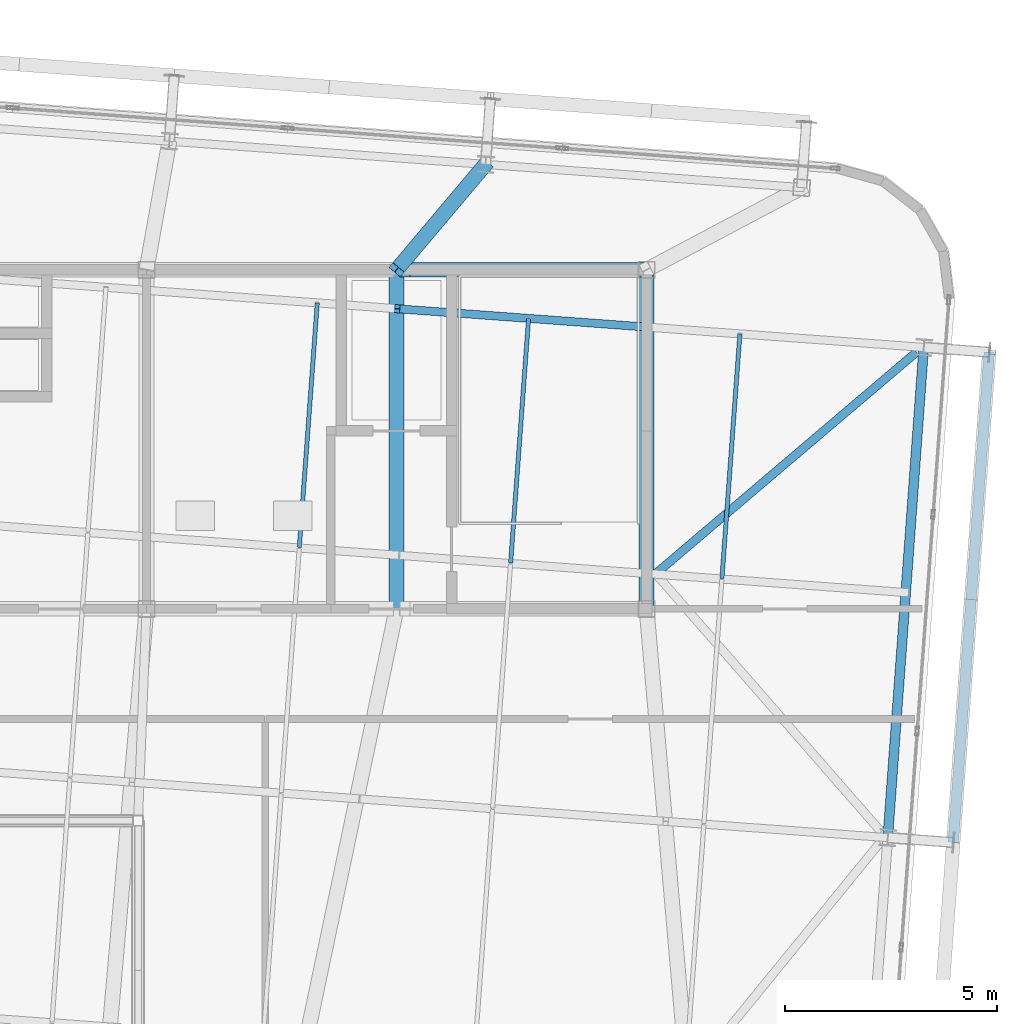
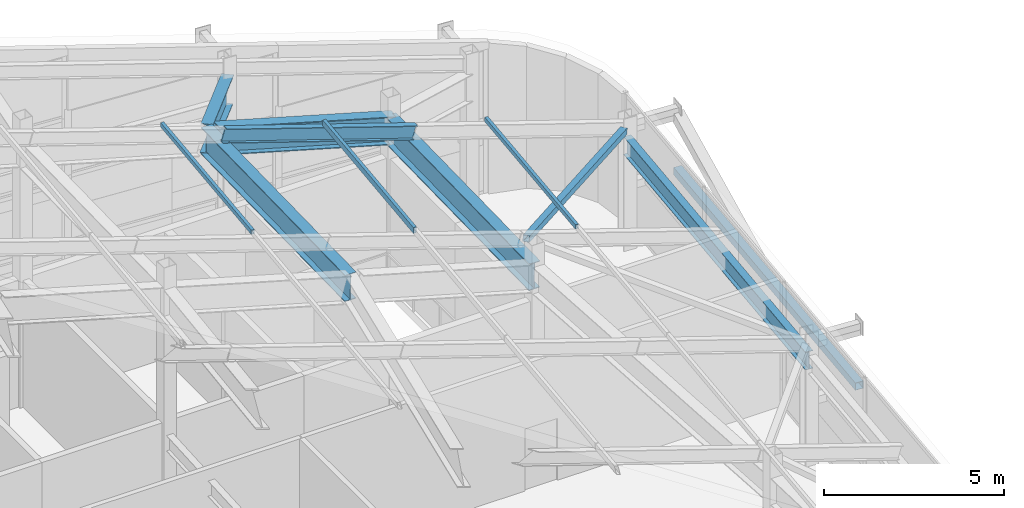
# One storey, part 24 of 56: 6 members, 5 beams.
"""IFC4 building model written with IfcOpenShell, lengths in metres."""

import ifcopenshell
import ifcopenshell.guid

model = None  # the IFC model being written
_history = None  # IfcOwnerHistory: only IFC2X3 demands one
_inside = {}  # id of a spatial element -> (the spatial element, [elements in it])
_under = {}  # id of a project, library or spatial element -> (it, [spatial elements below it])
_declared = {}  # id of a project -> (the project, [libraries it declares])
_typed = {}  # id of a type object -> (the type object, [elements of that type])
_made_of = {}  # id of a material, layer set ... -> (it, [elements and type objects made of it])


def new_model(schema):
    """Start an empty IFC model of exactly this schema.

    Asked for "IFC4X3", IfcOpenShell would pick the latest addendum, in which some entities
    have other attributes; the version numbers below select the first issue.
    IFC2X3 requires an IfcOwnerHistory on every rooted entity: one is made here for all.
    """
    global model, _history
    if schema == "IFC4X3":
        model = ifcopenshell.file(schema_version=(4, 3, 0, 0))
    else:
        model = ifcopenshell.file(schema=schema)
    _inside.clear()
    _under.clear()
    _declared.clear()
    _typed.clear()
    _made_of.clear()
    _history = None
    if model.schema == "IFC2X3":
        org = make("IfcOrganization", Name="unknown")
        user = make(
            "IfcPersonAndOrganization",
            ThePerson=make("IfcPerson", FamilyName="unknown"),
            TheOrganization=org,
        )
        app = make(
            "IfcApplication",
            ApplicationDeveloper=org,
            Version="unknown",
            ApplicationFullName="unknown",
            ApplicationIdentifier="unknown",
        )
        _history = make(
            "IfcOwnerHistory",
            OwningUser=user,
            OwningApplication=app,
            ChangeAction="ADDED",
            CreationDate=0,
        )
    return model


def make(cls, **values):
    """One entity of the class cls with the attributes given. An attribute that is None is left unset."""
    return model.create_entity(
        cls, **{name: value for name, value in values.items() if value is not None}
    )


def rooted(cls, **values):
    """An entity with a GlobalId (a new one), such as an element, a storey or a relation."""
    return make(cls, GlobalId=ifcopenshell.guid.new(), OwnerHistory=_history, **values)


def si_unit(unit_type, name, prefix=None):
    """IfcSIUnit, for example si_unit("LENGTHUNIT", "METRE", prefix="MILLI")."""
    return make("IfcSIUnit", UnitType=unit_type, Prefix=prefix, Name=name)


def assignment(units):
    """IfcUnitAssignment: the units of a project."""
    return None if units is None else make("IfcUnitAssignment", Units=units)


def point(xyz):
    """IfcCartesianPoint."""
    return None if xyz is None else make("IfcCartesianPoint", Coordinates=xyz)


def direction(xyz):
    """IfcDirection."""
    return None if xyz is None else make("IfcDirection", DirectionRatios=xyz)


def frame(location, z_axis=None, x_axis=None):
    """IfcAxis2Placement3D, a coordinate frame: its origin and axes. An axis left out is left unset."""
    return make(
        "IfcAxis2Placement3D",
        Location=point(location),
        Axis=direction(z_axis),
        RefDirection=direction(x_axis),
    )


def frame_2d(location, x_axis=None):
    """IfcAxis2Placement2D, a coordinate frame in the plane: its origin and x axis."""
    return make(
        "IfcAxis2Placement2D", Location=point(location), RefDirection=direction(x_axis)
    )


def origin():
    """The frame at (0, 0, 0) with its axes left unset."""
    return frame((0.0, 0.0, 0.0))


def origin_2d():
    """The frame at (0, 0) in the plane with its x axis left unset."""
    return frame_2d((0.0, 0.0))


def place(relative_to, where):
    """IfcLocalPlacement: puts the frame where relative to a parent placement (None: the world)."""
    return make(
        "IfcLocalPlacement", PlacementRelTo=relative_to, RelativePlacement=where
    )


def context(
    kind, dimensions, precision=None, world=None, true_north=None, identifier=None
):
    """IfcGeometricRepresentationContext, for example the 3D "Model" context."""
    return make(
        "IfcGeometricRepresentationContext",
        ContextIdentifier=identifier,
        ContextType=kind,
        CoordinateSpaceDimension=dimensions,
        Precision=precision,
        WorldCoordinateSystem=world,
        TrueNorth=true_north,
    )


def subcontext(parent, identifier, kind, view, scale=None):
    """IfcGeometricRepresentationSubContext, for example "Body" below "Model"."""
    return make(
        "IfcGeometricRepresentationSubContext",
        ContextIdentifier=identifier,
        ContextType=kind,
        ParentContext=parent,
        TargetScale=scale,
        TargetView=view,
    )


def project(units=None, contexts=None):
    """IfcProject with its units and contexts."""
    return rooted(
        "IfcProject",
        Name="project",
        RepresentationContexts=contexts,
        UnitsInContext=assignment(units),
    )


def spatial(cls, under=None, at=None, **own):
    """A site, building, storey or space (cls), placed at a placement, below another one or the project."""
    s = rooted(cls, ObjectPlacement=at, **own)
    if under is not None:
        _under.setdefault(under.id(), (under, []))[1].append(s)
    return s


def profile(cls, at=None, kind="AREA", **sizes):
    """A parametric profile (cls). Its sizes go by their IFC names, for example OverallWidth=200.0."""
    return make(cls, ProfileType=kind, Position=at, **sizes)


def hollow_rectangle(**sizes):
    """IfcRectangleHollowProfileDef."""
    return profile("IfcRectangleHollowProfileDef", **sizes)


def i_section(**sizes):
    """IfcIShapeProfileDef."""
    return profile("IfcIShapeProfileDef", **sizes)


def extrude(swept, where, along, depth):
    """IfcExtrudedAreaSolid: the profile swept, set in the frame where, extruded along a direction by depth."""
    return make(
        "IfcExtrudedAreaSolid",
        SweptArea=swept,
        Position=where,
        ExtrudedDirection=direction(along),
        Depth=depth,
    )


def shape(context_of_items, identifier, shape_type, items):
    """IfcShapeRepresentation: the items that make up one representation, for example the "Body"."""
    return make(
        "IfcShapeRepresentation",
        ContextOfItems=context_of_items,
        RepresentationIdentifier=identifier,
        RepresentationType=shape_type,
        Items=items,
    )


def source(mapping_origin, context_of_items, identifier, shape_type, items):
    """IfcRepresentationMap: a shape defined once, which mapped items show again and again."""
    return make(
        "IfcRepresentationMap",
        MappingOrigin=mapping_origin,
        MappedRepresentation=shape(context_of_items, identifier, shape_type, items),
    )


def transform(
    local_origin,
    x_axis=None,
    y_axis=None,
    z_axis=None,
    scale=None,
    scale2=None,
    scale3=None,
    uniform=True,
):
    """IfcCartesianTransformationOperator3D, or its non-uniform kind. x_axis, y_axis, z_axis: its Axis1, 2, 3."""
    if uniform:
        return make(
            "IfcCartesianTransformationOperator3D",
            Axis1=direction(x_axis),
            Axis2=direction(y_axis),
            LocalOrigin=point(local_origin),
            Scale=scale,
            Axis3=direction(z_axis),
        )
    return make(
        "IfcCartesianTransformationOperator3DnonUniform",
        Axis1=direction(x_axis),
        Axis2=direction(y_axis),
        LocalOrigin=point(local_origin),
        Scale=scale,
        Axis3=direction(z_axis),
        Scale2=scale2,
        Scale3=scale3,
    )


def mapped(mapping_source, mapping_target):
    """IfcMappedItem: shows the shape of a source again, moved by a transform."""
    return make(
        "IfcMappedItem", MappingSource=mapping_source, MappingTarget=mapping_target
    )


def material(Name=None, Category=None):
    """IfcMaterial."""
    return make("IfcMaterial", Name=Name, Category=Category)


def material_profile(
    of_material, cross_section, Name=None, Category=None, Priority=None
):
    """IfcMaterialProfile: a cross section and its material."""
    return make(
        "IfcMaterialProfile",
        Name=Name,
        Material=of_material,
        Profile=cross_section,
        Priority=Priority,
        Category=Category,
    )


def profile_set(profiles, Name=None, composite=None):
    """IfcMaterialProfileSet."""
    return make(
        "IfcMaterialProfileSet",
        Name=Name,
        MaterialProfiles=profiles,
        CompositeProfile=composite,
    )


def made_of(thing, what):
    """Note that an element or type object is made of a material, layer set ...; save() writes the relation."""
    if what is not None:
        _made_of.setdefault(what.id(), (what, []))[1].append(thing)
    return thing


def type_object(cls, material=None, **own):
    """A type object (cls), such as IfcWallType, which elements share."""
    return made_of(rooted(cls, **own), material)


def element(
    cls,
    number,
    at=None,
    inside=None,
    cuts=None,
    type_object=None,
    material=None,
    context=None,
    identifier="Body",
    shape_type=None,
    held_by="IfcProductDefinitionShape",
    body=None,
    shapes=None,
    **own,
):
    """One element of the class cls, such as IfcWall. Its Tag is "e" and its number.

    at: its placement. inside: the storey or other place that contains it. cuts: it is an
    opening in that element (IfcRelVoidsElement). A single representation is given by context,
    identifier, shape_type and body (its items); several are given by shapes. held_by: the class
    of the entity that holds the representations. save() writes the other relations.
    """
    e = rooted(cls, Tag="e%d" % number, ObjectPlacement=at, **own)
    if body is not None:
        shapes = [shape(context, identifier, shape_type, body)]
    if shapes is not None:
        e.Representation = make(held_by, Representations=shapes)
    if inside is not None:
        _inside.setdefault(inside.id(), (inside, []))[1].append(e)
    if cuts is not None:
        rooted(
            "IfcRelVoidsElement", RelatingBuildingElement=cuts, RelatedOpeningElement=e
        )
    if type_object is not None:
        _typed.setdefault(type_object.id(), (type_object, []))[1].append(e)
    return made_of(e, material)


def aggregate(whole, parts):
    """IfcRelAggregates: a whole, such as a stair, and the parts it consists of."""
    return rooted("IfcRelAggregates", RelatingObject=whole, RelatedObjects=parts)


def save(model, path):
    """Write the relations noted so far, then the file.

    IfcRelAggregates (storeys below a building ...), IfcRelContainedInSpatialStructure (elements
    in a storey), IfcRelDefinesByType, IfcRelAssociatesMaterial and IfcRelDeclares: one each for
    every whole, place, type object, material and project.
    """
    for whole, parts in _under.values():
        aggregate(whole, parts)
    for where, things in _inside.values():
        rooted(
            "IfcRelContainedInSpatialStructure",
            RelatedElements=things,
            RelatingStructure=where,
        )
    for kind, things in _typed.values():
        rooted("IfcRelDefinesByType", RelatedObjects=things, RelatingType=kind)
    for what, things in _made_of.values():
        rooted("IfcRelAssociatesMaterial", RelatedObjects=things, RelatingMaterial=what)
    for by, libraries in _declared.values():
        rooted("IfcRelDeclares", RelatingContext=by, RelatedDefinitions=libraries)
    model.write(path)


model = new_model("IFC4")

# Units and contexts
model_context = context("Model", 3, precision=1e-05, world=origin(), true_north=direction((0.0, 1.0)))
body_context = subcontext(model_context, "Body", "Model", "MODEL_VIEW")
ifc_project = project(units=[si_unit("LENGTHUNIT", "METRE"), si_unit("AREAUNIT", "SQUARE_METRE"), si_unit("VOLUMEUNIT", "CUBIC_METRE"), si_unit("PLANEANGLEUNIT", "RADIAN"), si_unit("MASSUNIT", "GRAM", prefix="KILO")], contexts=[model_context])

# Site, building, storey
site_placement = place(None, origin())
site = spatial("IfcSite", under=ifc_project, at=site_placement, CompositionType="ELEMENT")
building_placement = place(site_placement, origin())
building = spatial("IfcBuilding", under=site, at=building_placement, Name="Taldren Reach Tower", CompositionType="ELEMENT")
storey_placement = place(building_placement, frame((0.0, 0.0, 253.050048828125)))
storey = spatial("IfcBuildingStorey", under=building, at=storey_placement, Name="L77", CompositionType="ELEMENT", Elevation=253.050048828125)

# Member
ifc_material_1 = material(Name="Steel Gr 350 (C350L0)", Category="steel")
ifc_material_profile_1 = material_profile(ifc_material_1, hollow_rectangle(XDim=0.25, YDim=0.25, WallThickness=0.010009765625, at=origin_2d()), Name="250x250x10.0SHS")
ifc_profile_set_1 = profile_set([ifc_material_profile_1], Name="Steel Gr 350 (C350L0)")
member_type_1 = type_object("IfcMemberType", Name="MB-POST250", PredefinedType="POST", material=ifc_profile_set_1)
shared_shape_1 = source(origin(), body_context, "Body", "SweptSolid", [
    extrude(hollow_rectangle(XDim=0.25, YDim=0.25, WallThickness=0.010009765625, at=origin_2d()), origin(), (0.0, 0.0, 1.0), 11.60009765625),
])
member_1_placement = place(storey_placement, frame((58.237060546875, 18.486328125, 2.10986328125), z_axis=(0.073242167855, 0.997314185625, 0.0), x_axis=(-0.997314185625, 0.073242167855, 0.0)))
element("IfcMember", 1, at=member_1_placement, inside=storey, type_object=member_type_1, Name="Exoskeleton mid-height ring chord B5-E2 L77", PredefinedType="POST", context=body_context, shape_type="MappedRepresentation", body=[
    mapped(shared_shape_1, transform((0.0, 0.0, 0.0), scale=1.0)),
])

# Beams
ifc_material_2 = material(Name="Steel Gr 350 (350PLUS)", Category="steel")
ifc_material_profile_2 = material_profile(ifc_material_2, i_section(OverallWidth=0.22900390625, OverallDepth=0.612060546875, WebThickness=0.011962890625, FlangeThickness=0.01953125, at=origin_2d()), Name="610UB125")
ifc_profile_set_2 = profile_set([ifc_material_profile_2], Name="Steel Gr 350 (350PLUS)")
beam_type_1 = type_object("IfcBeamType", Name="BM-UB610A", PredefinedType="BEAM", material=ifc_profile_set_2)
shared_shape_2 = source(origin(), body_context, "Body", "SweptSolid", [
    extrude(i_section(OverallWidth=0.22900390625, OverallDepth=0.612060546875, WebThickness=0.011962890625, FlangeThickness=0.01953125, at=origin_2d()), origin(), (0.0, 0.0, 1.0), 11.60009765625),
])
beam_1_placement = place(storey_placement, frame((56.69140625, 18.599853515625, 3.44287109375), z_axis=(0.073221234109, 0.997315722766, 0.0), x_axis=(-0.997315722766, 0.073221234109, 0.0)))
element("IfcBeam", 2, at=beam_1_placement, inside=storey, type_object=beam_type_1, Name="Crown gable header girder E2", PredefinedType="BEAM", context=body_context, shape_type="MappedRepresentation", body=[
    mapped(shared_shape_2, transform((0.0, 0.0, 0.0), scale=1.0)),
])
ifc_material_profile_3 = material_profile(ifc_material_2, i_section(OverallWidth=0.35009765625, OverallDepth=0.916015625, WebThickness=0.013916015625, FlangeThickness=0.028076171875, at=origin_2d()), Name="900WB257")
ifc_profile_set_3 = profile_set([ifc_material_profile_3], Name="Steel Gr 350 (350PLUS)")
beam_type_2 = type_object("IfcBeamType", Name="BM-WB900", PredefinedType="BEAM", material=ifc_profile_set_3)
shared_shape_3 = source(origin(), body_context, "Body", "SweptSolid", [
    extrude(i_section(OverallWidth=0.35009765625, OverallDepth=0.916015625, WebThickness=0.013916015625, FlangeThickness=0.028076171875, at=origin_2d()), origin(), (0.0, 0.0, 1.0), 8.001708984375),
])
for number, where, z_axis, x_axis, name in (
    (3, (45.10009765625, 24.0, 6.712158203125), (0.0, 0.999779654873, 0.020991467363), (-1.0, 0.0, 0.0), "Crown transverse portal girder PF5-3"),
    (4, (51.0, 24.0, 5.025390625), (0.0, 0.999780294735, 0.020960969924), (-1.0, 0.0, 0.0), "Crown transverse portal girder PF6-3"),
):
    element("IfcBeam", number, at=place(storey_placement, frame(where, z_axis=z_axis, x_axis=x_axis)), inside=storey, type_object=beam_type_2, Name=name, PredefinedType="BEAM", context=body_context, shape_type="MappedRepresentation", body=[
        mapped(shared_shape_3, transform((0.0, 0.0, 0.0), scale=1.0)),
    ])
shared_shape_4 = source(origin(), body_context, "Body", "SweptSolid", [
    extrude(i_section(OverallWidth=0.35009765625, OverallDepth=0.916015625, WebThickness=0.013916015625, FlangeThickness=0.028076171875, at=origin_2d()), origin(), (0.0, 0.0, 1.0), 3.30078125),
])
beam_2_placement = place(storey_placement, frame((45.10009765625, 32.0, 6.880126953125), z_axis=(0.636006536756, 0.753607466334, -0.166046595536), x_axis=(-0.764216388692, 0.64495992996, 0.0)))
element("IfcBeam", 5, at=beam_2_placement, inside=storey, type_object=beam_type_2, Name="Crown transverse portal girder PF5-4", PredefinedType="BEAM", context=body_context, shape_type="MappedRepresentation", body=[
    mapped(shared_shape_4, transform((0.0, 0.0, 0.0), scale=1.0)),
])
shared_shape_5 = source(origin(), body_context, "Body", "SweptSolid", [
    extrude(i_section(OverallWidth=0.35009765625, OverallDepth=0.916015625, WebThickness=0.013916015625, FlangeThickness=0.028076171875, at=origin_2d()), origin(), (0.0, 0.0, 1.0), 5.93359375),
])
beam_3_placement = place(storey_placement, frame((45.294921875, 32.0, 6.82421875), z_axis=(0.961475801025, 0.0, -0.274889585187), x_axis=(0.0, 1.0, 0.0)))
element("IfcBeam", 6, at=beam_3_placement, inside=storey, type_object=beam_type_2, Name="Crown collar portal girder C78-E", PredefinedType="BEAM", context=body_context, shape_type="MappedRepresentation", body=[
    mapped(shared_shape_5, transform((0.0, 0.0, 0.0), scale=1.0)),
])

# Members
ifc_material_profile_4 = material_profile(ifc_material_2, i_section(OverallWidth=0.19091796875, OverallDepth=0.4599609375, WebThickness=0.010009765625, FlangeThickness=0.01611328125, at=origin_2d()), Name="460UB82.1")
ifc_profile_set_4 = profile_set([ifc_material_profile_4], Name="Steel Gr 350 (350PLUS)")
member_type_2 = type_object("IfcMemberType", Name="MB-RAF460", PredefinedType="RAFTER", material=ifc_profile_set_4)
shared_shape_6 = source(origin(), body_context, "Body", "SweptSolid", [
    extrude(i_section(OverallWidth=0.19091796875, OverallDepth=0.4599609375, WebThickness=0.010009765625, FlangeThickness=0.01611328125, at=origin_2d()), origin(), (0.0, 0.0, 1.0), 6.123046875),
])
member_2_placement = place(storey_placement, frame((50.985107421875, 30.650146484375, 5.896240234375), z_axis=(-0.958693324303, 0.07037488427, 0.275598413641), x_axis=(-0.073210102026, -0.997316540002, 0.0)))
element("IfcMember", 7, at=member_2_placement, inside=storey, type_object=member_type_2, Name="Crown sloped rafter RF-5.2", PredefinedType="RAFTER", context=body_context, shape_type="MappedRepresentation", body=[
    mapped(shared_shape_6, transform((0.0, 0.0, 0.0), scale=1.0)),
])
ifc_material_profile_5 = material_profile(ifc_material_1, hollow_rectangle(XDim=0.10009765625, YDim=0.199951171875, WallThickness=0.006103515625, at=origin_2d()), Name="200x100x6.0RHS")
ifc_profile_set_5 = profile_set([ifc_material_profile_5], Name="Steel Gr 350 (C350L0)")
member_type_3 = type_object("IfcMemberType", Name="MB-PUR200", PredefinedType="PURLIN", material=ifc_profile_set_5)
shared_shape_7 = source(origin(), body_context, "Body", "SweptSolid", [
    extrude(hollow_rectangle(XDim=0.10009765625, YDim=0.199951171875, WallThickness=0.006103515625, at=origin_2d()), origin(), (0.0, 0.0, 1.0), 5.784912109375),
])
member_3_placement = place(storey_placement, frame((47.792236328125, 25.083984375, 7.04248046875), z_axis=(0.073265391434, 0.997312479827, 0.0), x_axis=(-0.997312479827, 0.073265391434, 0.0)))
element("IfcMember", 8, at=member_3_placement, inside=storey, type_object=member_type_3, Name="Crown roof purlin PR-7.4", PredefinedType="PURLIN", context=body_context, shape_type="MappedRepresentation", body=[
    mapped(shared_shape_7, transform((0.0, 0.0, 0.0), scale=1.0)),
])
ifc_material_profile_6 = material_profile(ifc_material_1, hollow_rectangle(XDim=0.10009765625, YDim=0.14990234375, WallThickness=0.0048828125, at=origin_2d()), Name="150x100x5.0RHS")
ifc_profile_set_6 = profile_set([ifc_material_profile_6], Name="Steel Gr 350 (C350L0)")
member_type_4 = type_object("IfcMemberType", Name="MB-PUR150", PredefinedType="PURLIN", material=ifc_profile_set_6)
shared_shape_8 = source(origin(), body_context, "Body", "SweptSolid", [
    extrude(hollow_rectangle(XDim=0.10009765625, YDim=0.14990234375, WallThickness=0.0048828125, at=origin_2d()), origin(), (0.0, 0.0, 1.0), 5.784912109375),
])
for number, where, z_axis, x_axis, name in (
    (9, (42.8056640625, 25.4501953125, 8.501953125), (0.073265391434, 0.997312479827, 0.0), (-0.997312479827, 0.073265391434, 0.0), "Crown roof purlin PR-6.4"),
    (10, (52.77880859375, 24.7177734375, 5.63525390625), (0.073265391434, 0.997312479827, 0.0), (-0.997312479827, 0.073265391434, 0.0), "Crown roof purlin PR-8.4"),
):
    element("IfcMember", number, at=place(storey_placement, frame(where, z_axis=z_axis, x_axis=x_axis)), inside=storey, type_object=member_type_4, Name=name, PredefinedType="PURLIN", context=body_context, shape_type="MappedRepresentation", body=[
        mapped(shared_shape_8, transform((0.0, 0.0, 0.0), scale=1.0)),
    ])
ifc_material_profile_7 = material_profile(ifc_material_1, hollow_rectangle(XDim=0.199951171875, YDim=0.199951171875, WallThickness=0.009033203125, at=origin_2d()), Name="200x200x9.0SHS")
ifc_profile_set_7 = profile_set([ifc_material_profile_7], Name="Steel Gr 350 (C350L0)")
member_type_5 = type_object("IfcMemberType", Name="BR-ROOF-200", PredefinedType="BRACE", material=ifc_profile_set_7)
shared_shape_9 = source(origin(), body_context, "Body", "SweptSolid", [
    extrude(hollow_rectangle(XDim=0.199951171875, YDim=0.199951171875, WallThickness=0.009033203125, at=origin_2d()), origin(), (0.0, 0.0, 1.0), 8.226318359375),
])
member_4_placement = place(storey_placement, frame((57.35107421875, 30.042236328125, 4.0634765625), z_axis=(-0.746588905884, -0.63446404953, 0.200150881749), x_axis=(0.647567522394, -0.762008073409, 0.0)))
element("IfcMember", 11, at=member_4_placement, inside=storey, type_object=member_type_5, Name="Crown sloped roof wind brace RB-4", PredefinedType="BRACE", context=body_context, shape_type="MappedRepresentation", body=[
    mapped(shared_shape_9, transform((0.0, 0.0, 0.0), scale=1.0)),
])

save(model, "model.ifc")
